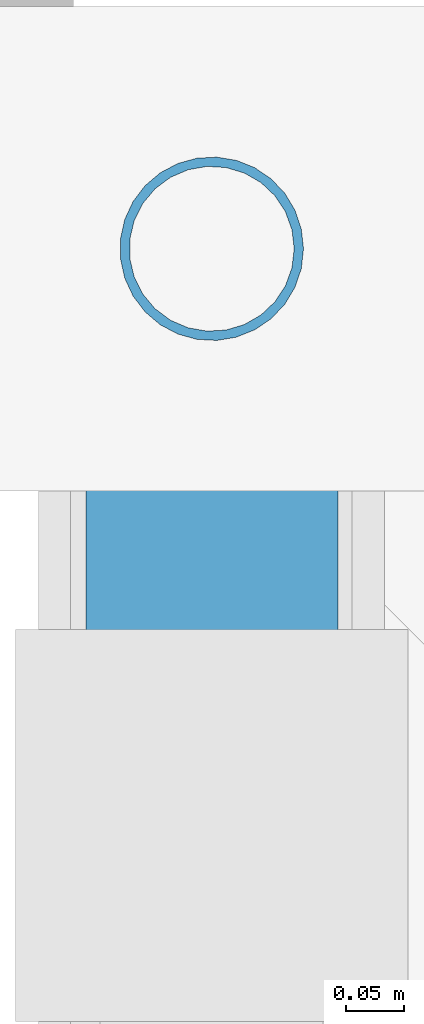
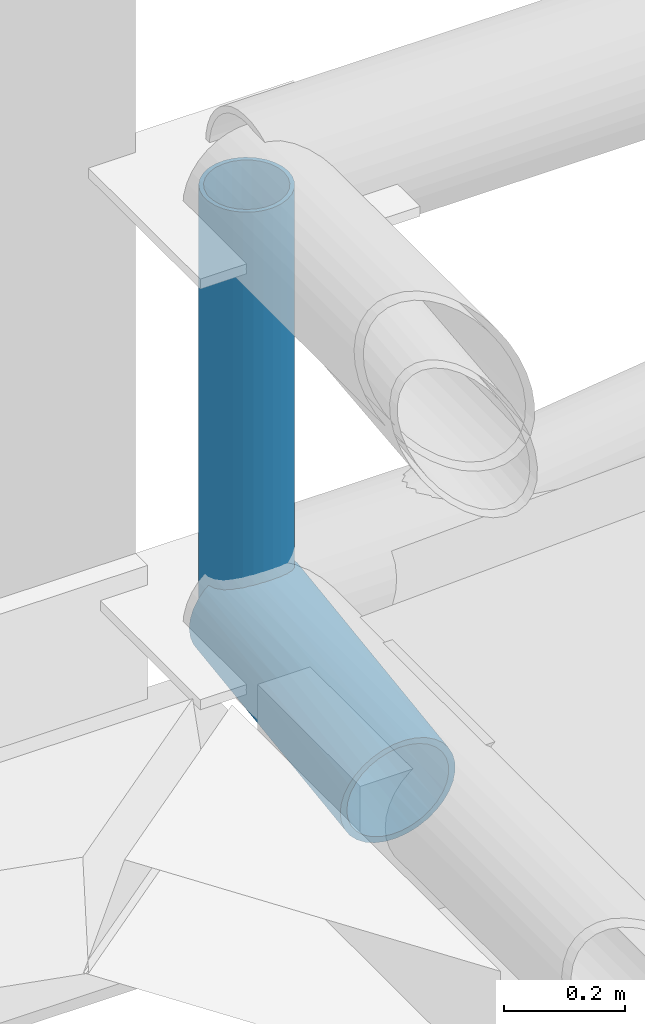
# One storey, part 47 of 77: 2 members.
"""IFC4 building model written with IfcOpenShell, lengths in metres."""

from ifc_helpers import new_model, si_unit, direction, frame, origin, origin_2d, place, context, subcontext, project, spatial, hollow_circle, extrude, material, material_profile, profile_set, type_object, element, save


model = new_model("IFC4")

# Units and contexts
model_context = context("Model", 3, precision=1e-05, world=origin(), true_north=direction((0.0, 1.0)))
body_context = subcontext(model_context, "Body", "Model", "MODEL_VIEW")
ifc_project = project(units=[si_unit("LENGTHUNIT", "METRE"), si_unit("AREAUNIT", "SQUARE_METRE"), si_unit("VOLUMEUNIT", "CUBIC_METRE"), si_unit("PLANEANGLEUNIT", "RADIAN"), si_unit("MASSUNIT", "GRAM", prefix="KILO")], contexts=[model_context])

# Site, building, storey
site_placement = place(None, origin())
site = spatial("IfcSite", under=ifc_project, at=site_placement, CompositionType="ELEMENT")
building_placement = place(site_placement, origin())
building = spatial("IfcBuilding", under=site, at=building_placement, Name="Nabrawat Pavilion Hospital", CompositionType="ELEMENT")
storey_placement = place(building_placement, frame((0.0, 0.0, 14.85009765625)))
storey = spatial("IfcBuildingStorey", under=building, at=storey_placement, Name="L03", CompositionType="ELEMENT", Elevation=14.85009765625)

# Members
ifc_material = material(Name="Steel S355", Category="steel")
ifc_material_profile_1 = material_profile(ifc_material, hollow_circle(Radius=0.109619140625, WallThickness=0.012451171875, at=origin_2d()), Name="CHS 219.1x12.5")
ifc_profile_set_1 = profile_set([ifc_material_profile_1], Name="Steel S355")
member_type_1 = type_object("IfcMemberType", Name="Space Frame Overhanging Eave Strut CHS 219.1x12.5", PredefinedType="STRUT", material=ifc_profile_set_1)
member_1_placement = place(storey_placement, frame((58.919921875, 39.0, -0.050048828125), z_axis=(0.0, -0.990323146751, -0.138780636288), x_axis=(1.0, 0.0, 0.0)))
element("IfcMember", 1, at=member_1_placement, inside=storey, type_object=member_type_1, Name="Space Frame Overhanging Eave Strut North 0265", PredefinedType="STRUT", context=body_context, shape_type="SweptSolid", body=[
    extrude(hollow_circle(Radius=0.109619140625, WallThickness=0.012451171875, at=origin_2d()), origin(), (0.0, 0.0, 1.0), 0.5048828125),
])
ifc_material_profile_2 = material_profile(ifc_material, hollow_circle(Radius=0.07958984375, WallThickness=0.008056640625, at=origin_2d()), Name="CHS 159x8")
ifc_profile_set_2 = profile_set([ifc_material_profile_2], Name="Steel S355")
member_type_2 = type_object("IfcMemberType", Name="Space Frame Vertical Web Post CHS 159x8", PredefinedType="BRACE", material=ifc_profile_set_2)
member_2_placement = place(storey_placement, frame((58.919921875, 39.0, -0.050048828125), z_axis=(0.0, 0.0, 1.0), x_axis=(1.0, 0.0, 0.0)))
element("IfcMember", 2, at=member_2_placement, inside=storey, type_object=member_type_2, Name="Space Frame Diagonal Post 0024", PredefinedType="BRACE", context=body_context, shape_type="SweptSolid", body=[
    extrude(hollow_circle(Radius=0.07958984375, WallThickness=0.008056640625, at=origin_2d()), origin(), (0.0, 0.0, 1.0), 0.849853515625),
])

save(model, "model.ifc")
